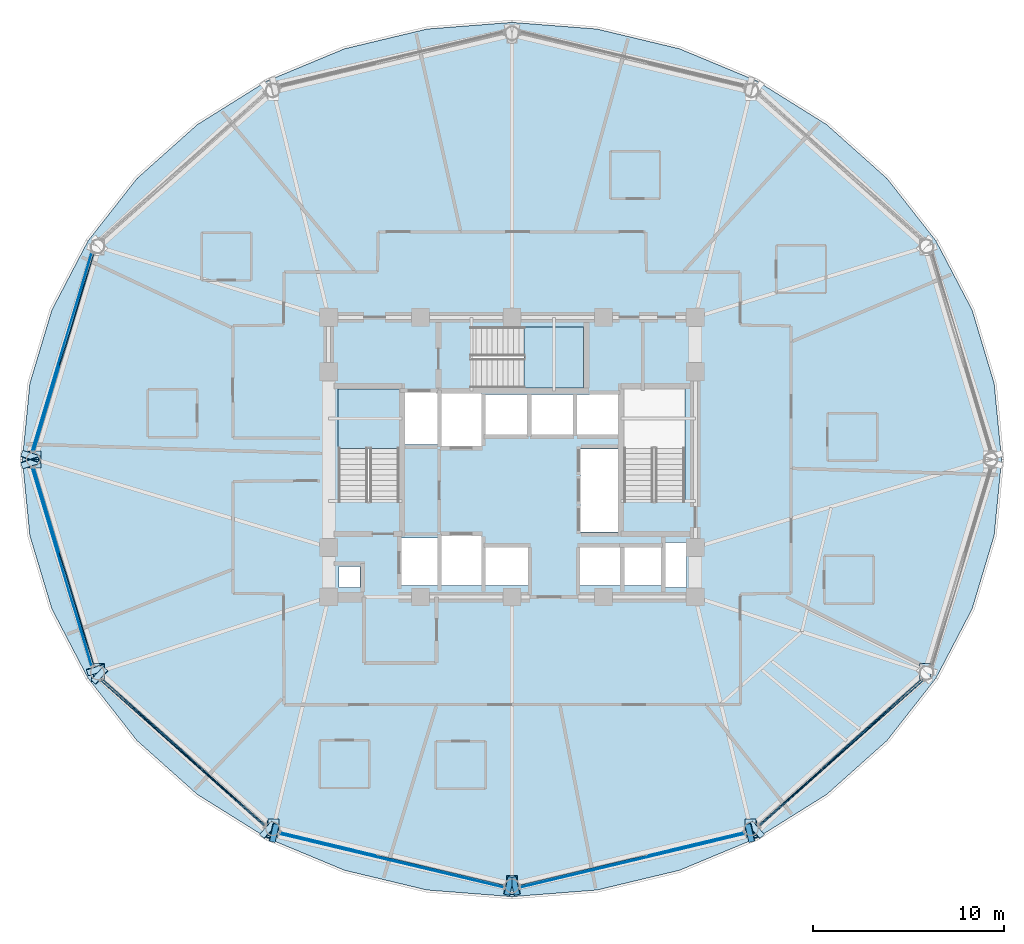
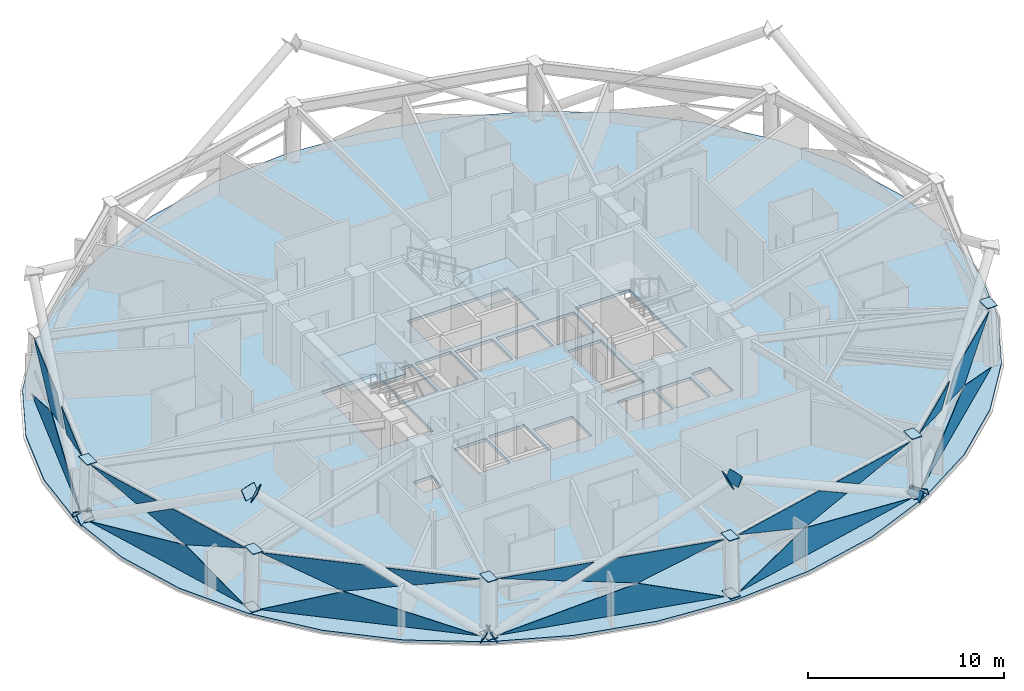
# One storey, part 6 of 15: 39 plates, 3 slabs, 8 elements without a shape of their own.
"""IFC4 building model written with IfcOpenShell, lengths in metres."""

import ifcopenshell
import ifcopenshell.guid

model = None  # the IFC model being written
_history = None  # IfcOwnerHistory: only IFC2X3 demands one
_inside = {}  # id of a spatial element -> (the spatial element, [elements in it])
_under = {}  # id of a project, library or spatial element -> (it, [spatial elements below it])
_declared = {}  # id of a project -> (the project, [libraries it declares])
_typed = {}  # id of a type object -> (the type object, [elements of that type])
_made_of = {}  # id of a material, layer set ... -> (it, [elements and type objects made of it])


def new_model(schema):
    """Start an empty IFC model of exactly this schema.

    Asked for "IFC4X3", IfcOpenShell would pick the latest addendum, in which some entities
    have other attributes; the version numbers below select the first issue.
    IFC2X3 requires an IfcOwnerHistory on every rooted entity: one is made here for all.
    """
    global model, _history
    if schema == "IFC4X3":
        model = ifcopenshell.file(schema_version=(4, 3, 0, 0))
    else:
        model = ifcopenshell.file(schema=schema)
    _inside.clear()
    _under.clear()
    _declared.clear()
    _typed.clear()
    _made_of.clear()
    _history = None
    if model.schema == "IFC2X3":
        org = make("IfcOrganization", Name="unknown")
        user = make(
            "IfcPersonAndOrganization",
            ThePerson=make("IfcPerson", FamilyName="unknown"),
            TheOrganization=org,
        )
        app = make(
            "IfcApplication",
            ApplicationDeveloper=org,
            Version="unknown",
            ApplicationFullName="unknown",
            ApplicationIdentifier="unknown",
        )
        _history = make(
            "IfcOwnerHistory",
            OwningUser=user,
            OwningApplication=app,
            ChangeAction="ADDED",
            CreationDate=0,
        )
    return model


def make(cls, **values):
    """One entity of the class cls with the attributes given. An attribute that is None is left unset."""
    return model.create_entity(
        cls, **{name: value for name, value in values.items() if value is not None}
    )


def rooted(cls, **values):
    """An entity with a GlobalId (a new one), such as an element, a storey or a relation."""
    return make(cls, GlobalId=ifcopenshell.guid.new(), OwnerHistory=_history, **values)


def si_unit(unit_type, name, prefix=None):
    """IfcSIUnit, for example si_unit("LENGTHUNIT", "METRE", prefix="MILLI")."""
    return make("IfcSIUnit", UnitType=unit_type, Prefix=prefix, Name=name)


def assignment(units):
    """IfcUnitAssignment: the units of a project."""
    return None if units is None else make("IfcUnitAssignment", Units=units)


def point(xyz):
    """IfcCartesianPoint."""
    return None if xyz is None else make("IfcCartesianPoint", Coordinates=xyz)


def direction(xyz):
    """IfcDirection."""
    return None if xyz is None else make("IfcDirection", DirectionRatios=xyz)


def frame(location, z_axis=None, x_axis=None):
    """IfcAxis2Placement3D, a coordinate frame: its origin and axes. An axis left out is left unset."""
    return make(
        "IfcAxis2Placement3D",
        Location=point(location),
        Axis=direction(z_axis),
        RefDirection=direction(x_axis),
    )


def origin():
    """The frame at (0, 0, 0) with its axes left unset."""
    return frame((0.0, 0.0, 0.0))


def place(relative_to, where):
    """IfcLocalPlacement: puts the frame where relative to a parent placement (None: the world)."""
    return make(
        "IfcLocalPlacement", PlacementRelTo=relative_to, RelativePlacement=where
    )


def context(
    kind, dimensions, precision=None, world=None, true_north=None, identifier=None
):
    """IfcGeometricRepresentationContext, for example the 3D "Model" context."""
    return make(
        "IfcGeometricRepresentationContext",
        ContextIdentifier=identifier,
        ContextType=kind,
        CoordinateSpaceDimension=dimensions,
        Precision=precision,
        WorldCoordinateSystem=world,
        TrueNorth=true_north,
    )


def subcontext(parent, identifier, kind, view, scale=None):
    """IfcGeometricRepresentationSubContext, for example "Body" below "Model"."""
    return make(
        "IfcGeometricRepresentationSubContext",
        ContextIdentifier=identifier,
        ContextType=kind,
        ParentContext=parent,
        TargetScale=scale,
        TargetView=view,
    )


def project(units=None, contexts=None):
    """IfcProject with its units and contexts."""
    return rooted(
        "IfcProject",
        Name="project",
        RepresentationContexts=contexts,
        UnitsInContext=assignment(units),
    )


def spatial(cls, under=None, at=None, **own):
    """A site, building, storey or space (cls), placed at a placement, below another one or the project."""
    s = rooted(cls, ObjectPlacement=at, **own)
    if under is not None:
        _under.setdefault(under.id(), (under, []))[1].append(s)
    return s


def polyline(points):
    """IfcPolyline through the points."""
    return make("IfcPolyline", Points=[point(p) for p in points])


def outline(outer, holes=None, kind="AREA"):
    """IfcArbitraryClosedProfileDef: a profile drawn as a closed curve; with holes, ...WithVoids."""
    if holes is None:
        return make("IfcArbitraryClosedProfileDef", ProfileType=kind, OuterCurve=outer)
    return make(
        "IfcArbitraryProfileDefWithVoids",
        ProfileType=kind,
        OuterCurve=outer,
        InnerCurves=holes,
    )


def extrude(swept, where, along, depth):
    """IfcExtrudedAreaSolid: the profile swept, set in the frame where, extruded along a direction by depth."""
    return make(
        "IfcExtrudedAreaSolid",
        SweptArea=swept,
        Position=where,
        ExtrudedDirection=direction(along),
        Depth=depth,
    )


def shape(context_of_items, identifier, shape_type, items):
    """IfcShapeRepresentation: the items that make up one representation, for example the "Body"."""
    return make(
        "IfcShapeRepresentation",
        ContextOfItems=context_of_items,
        RepresentationIdentifier=identifier,
        RepresentationType=shape_type,
        Items=items,
    )


def material(Name=None, Category=None):
    """IfcMaterial."""
    return make("IfcMaterial", Name=Name, Category=Category)


def layer(
    of_material, thickness, ventilated=None, Name=None, Category=None, Priority=None
):
    """IfcMaterialLayer: one layer of a wall or slab, of a material (None: an air gap)."""
    return make(
        "IfcMaterialLayer",
        Material=of_material,
        LayerThickness=thickness,
        IsVentilated=ventilated,
        Name=Name,
        Category=Category,
        Priority=Priority,
    )


def layer_set(layers, Name=None):
    """IfcMaterialLayerSet."""
    return make("IfcMaterialLayerSet", MaterialLayers=layers, LayerSetName=Name)


def made_of(thing, what):
    """Note that an element or type object is made of a material, layer set ...; save() writes the relation."""
    if what is not None:
        _made_of.setdefault(what.id(), (what, []))[1].append(thing)
    return thing


def type_object(cls, material=None, **own):
    """A type object (cls), such as IfcWallType, which elements share."""
    return made_of(rooted(cls, **own), material)


def element(
    cls,
    number,
    at=None,
    inside=None,
    cuts=None,
    type_object=None,
    material=None,
    context=None,
    identifier="Body",
    shape_type=None,
    held_by="IfcProductDefinitionShape",
    body=None,
    shapes=None,
    **own,
):
    """One element of the class cls, such as IfcWall. Its Tag is "e" and its number.

    at: its placement. inside: the storey or other place that contains it. cuts: it is an
    opening in that element (IfcRelVoidsElement). A single representation is given by context,
    identifier, shape_type and body (its items); several are given by shapes. held_by: the class
    of the entity that holds the representations. save() writes the other relations.
    """
    e = rooted(cls, Tag="e%d" % number, ObjectPlacement=at, **own)
    if body is not None:
        shapes = [shape(context, identifier, shape_type, body)]
    if shapes is not None:
        e.Representation = make(held_by, Representations=shapes)
    if inside is not None:
        _inside.setdefault(inside.id(), (inside, []))[1].append(e)
    if cuts is not None:
        rooted(
            "IfcRelVoidsElement", RelatingBuildingElement=cuts, RelatedOpeningElement=e
        )
    if type_object is not None:
        _typed.setdefault(type_object.id(), (type_object, []))[1].append(e)
    return made_of(e, material)


def aggregate(whole, parts):
    """IfcRelAggregates: a whole, such as a stair, and the parts it consists of."""
    return rooted("IfcRelAggregates", RelatingObject=whole, RelatedObjects=parts)


def save(model, path):
    """Write the relations noted so far, then the file.

    IfcRelAggregates (storeys below a building ...), IfcRelContainedInSpatialStructure (elements
    in a storey), IfcRelDefinesByType, IfcRelAssociatesMaterial and IfcRelDeclares: one each for
    every whole, place, type object, material and project.
    """
    for whole, parts in _under.values():
        aggregate(whole, parts)
    for where, things in _inside.values():
        rooted(
            "IfcRelContainedInSpatialStructure",
            RelatedElements=things,
            RelatingStructure=where,
        )
    for kind, things in _typed.values():
        rooted("IfcRelDefinesByType", RelatedObjects=things, RelatingType=kind)
    for what, things in _made_of.values():
        rooted("IfcRelAssociatesMaterial", RelatedObjects=things, RelatingMaterial=what)
    for by, libraries in _declared.values():
        rooted("IfcRelDeclares", RelatingContext=by, RelatedDefinitions=libraries)
    model.write(path)


model = new_model("IFC4")

# Units and contexts
model_context = context("Model", 3, precision=1e-05, world=origin(), true_north=direction((0.0, 1.0)))
body_context = subcontext(model_context, "Body", "Model", "MODEL_VIEW")
ifc_project = project(units=[si_unit("LENGTHUNIT", "METRE"), si_unit("AREAUNIT", "SQUARE_METRE"), si_unit("VOLUMEUNIT", "CUBIC_METRE"), si_unit("PLANEANGLEUNIT", "RADIAN"), si_unit("MASSUNIT", "GRAM", prefix="KILO")], contexts=[model_context])

# Site, building, storey
site_placement = place(None, origin())
site = spatial("IfcSite", under=ifc_project, at=site_placement, CompositionType="ELEMENT")
building_placement = place(site_placement, origin())
building = spatial("IfcBuilding", under=site, at=building_placement, Name="Vantalir Tower", CompositionType="ELEMENT")
storey_placement = place(building_placement, frame((0.0, 0.0, 134.699951171875)))
storey = spatial("IfcBuildingStorey", under=building, at=storey_placement, Name="L33", CompositionType="ELEMENT", Elevation=134.699951171875)

# Curtain wall, plates
ifc_material_1 = material(Name="Champagne-silver PVDF aluminium and double-silver Low-E glass", Category="aluminium")
ifc_layer_1 = layer(ifc_material_1, 0.199951171875)
ifc_layer_set_1 = layer_set([ifc_layer_1], Name="Champagne-silver PVDF aluminium and double-silver Low-E glass")
curtain_wall_type = type_object("IfcCurtainWallType", Name="CW-DIAMOND-Z2", PredefinedType="USERDEFINED", material=ifc_layer_set_1)
curtain_wall_1_placement = place(storey_placement, origin())
curtain_wall_1 = element("IfcCurtainWall", 1, at=curtain_wall_1_placement, inside=storey, type_object=curtain_wall_type, Name="L33 Quilted Pyramid-Diamond Curtain Wall S06", ObjectType="UNITISED CURTAIN WALL", PredefinedType="USERDEFINED")
ifc_material_2 = material(Name="Double-silver Low-E laminated glass IGU", Category="glass")
ifc_layer_2 = layer(ifc_material_2, 0.028076171875)
ifc_layer_set_2 = layer_set([ifc_layer_2], Name="Double-silver Low-E laminated glass IGU")
plate_type_1 = type_object("IfcPlateType", Name="CWP-IGU-28", PredefinedType="CURTAIN_PANEL", material=ifc_layer_set_2)
plate_1_placement = place(storey_placement, frame((9.47314453125, 35.831298828125, 0.046875), z_axis=(-0.957463170164, 0.287838841665, 0.02032434523), x_axis=(-0.287898747947, -0.957660853551, -2.2490333e-05)))
plate_1 = element("IfcPlate", 2, at=plate_1_placement, type_object=plate_type_1, Name="CW-L33-S06 Pyramid Diamond Facet 1L", PredefinedType="CURTAIN_PANEL", context=body_context, shape_type="SweptSolid", body=[
    extrude(outline(polyline([(0.0, 0.0), (10.855358569343428, -4.87890977618477e-18), (4.130310305570415, 1.726523743430971), (0.0, 0.0)])), origin(), (0.0, 0.0, -1.0), 0.028076171875),
])
plate_2_placement = place(storey_placement, frame((9.5810546875, 35.7763671875, 3.523193359375), z_axis=(-0.956543087606, 0.287624031401, 0.047934727639), x_axis=(-0.287952835726, -0.957644590696, 4.804982e-05)))
plate_2 = element("IfcPlate", 3, at=plate_2_placement, type_object=plate_type_1, Name="CW-L33-S06 Pyramid Diamond Facet 2U", PredefinedType="CURTAIN_PANEL", context=body_context, shape_type="SweptSolid", body=[
    extrude(outline(polyline([(0.0, 0.0), (5.096474012742878, -4.092863201132779e-18), (6.7924118698051315, -1.0349633621815963), (4.108684838785113, -1.7282575818142996), (0.0, 0.0)])), origin(), (0.0, 0.0, -1.0), 0.028076171875),
])
plate_3_placement = place(storey_placement, frame((7.767822265625, 29.857177734375, 3.52490234375), z_axis=(-0.956564172472, 0.287559400806, 0.047901721806), x_axis=(-0.287887448964, -0.957664249057, 5.2988671e-05)))
plate_3 = element("IfcPlate", 4, at=plate_3_placement, type_object=plate_type_1, Name="CW-L33-S06 Pyramid Diamond Facet 2U Infill Light", PredefinedType="CURTAIN_PANEL", context=body_context, shape_type="SweptSolid", body=[
    extrude(outline(polyline([(0.0, 0.0), (4.6074117520533635, 7.26415455565288e-18), (1.3702827860702542, -0.8362376447296731), (0.0, 0.0)])), origin(), (0.0, 0.0, -1.0), 0.028076171875),
])
aggregate(curtain_wall_1, [plate_1, plate_2, plate_3])

curtain_wall_2_placement = place(storey_placement, origin())
curtain_wall_2 = element("IfcCurtainWall", 5, at=curtain_wall_2_placement, inside=storey, type_object=curtain_wall_type, Name="L33 Quilted Pyramid-Diamond Curtain Wall S07", ObjectType="UNITISED CURTAIN WALL", PredefinedType="USERDEFINED")
plate_4_placement = place(storey_placement, frame((6.347900390625, 24.564453125, 0.046630859375), z_axis=(-0.957470245405, -0.287813931376, 0.020343796845), x_axis=(0.287873946806, -0.957668309095, 2.2488395e-05)))
plate_4 = element("IfcPlate", 6, at=plate_4_placement, type_object=plate_type_1, Name="CW-L33-S07 Pyramid Diamond Facet 1L", PredefinedType="CURTAIN_PANEL", context=body_context, shape_type="SweptSolid", body=[
    extrude(outline(polyline([(0.0, 0.0), (10.856293788661283, -1.5233040523421337e-17), (6.725514960896427, 1.7265244291409825), (0.0, 0.0)])), origin(), (0.0, 0.0, -1.0), 0.028076171875),
])
plate_5_placement = place(storey_placement, frame((8.113525390625, 19.10400390625, 3.5234375), z_axis=(-0.956551973438, -0.28759096998, 0.047955772315), x_axis=(0.287920011065, -0.957654460068, -4.8384158e-05)))
plate_5 = element("IfcPlate", 7, at=plate_5_placement, type_object=plate_type_1, Name="CW-L33-S07 Pyramid Diamond Facet 2U", PredefinedType="CURTAIN_PANEL", context=body_context, shape_type="SweptSolid", body=[
    extrude(outline(polyline([(0.0, 0.0), (5.097175417355178, 2.596664203102783e-17), (0.9880263924627568, -1.7282589875324084), (-1.695935809435139, -1.0349667163310812), (0.0, 0.0)])), origin(), (0.0, 0.0, -1.0), 0.028076171875),
])
plate_6_placement = place(storey_placement, frame((6.44140625, 24.55517578125, 3.525146484375), z_axis=(-0.956571263769, -0.287545619059, 0.047842808155), x_axis=(0.287872840721, -0.95766864038, -5.2985982e-05)))
plate_6 = element("IfcPlate", 8, at=plate_6_placement, type_object=plate_type_1, Name="CW-L33-S07 Pyramid Diamond Facet 2U Infill Light", PredefinedType="CURTAIN_PANEL", context=body_context, shape_type="SweptSolid", body=[
    extrude(outline(polyline([(0.0, 0.0), (4.607645557337732, -1.0516761073109393e-17), (3.2371295743934563, -0.8362352895310898), (0.0, 0.0)])), origin(), (0.0, 0.0, -1.0), 0.028076171875),
])
aggregate(curtain_wall_2, [plate_4, plate_5, plate_6])

curtain_wall_3_placement = place(storey_placement, origin())
curtain_wall_3 = element("IfcCurtainWall", 9, at=curtain_wall_3_placement, inside=storey, type_object=curtain_wall_type, Name="L33 Quilted Pyramid-Diamond Curtain Wall S08", ObjectType="UNITISED CURTAIN WALL", PredefinedType="USERDEFINED")
plate_7_placement = place(storey_placement, frame((9.943603515625, 13.429443359375, 0.046630859375), z_axis=(-0.665260179006, -0.746375555982, 0.01877295027), x_axis=(0.746506845248, -0.665377734483, -2.1254679e-05)))
plate_7 = element("IfcPlate", 10, at=plate_7_placement, type_object=plate_type_1, Name="CW-L33-S08 Pyramid Diamond Facet 1L", PredefinedType="CURTAIN_PANEL", context=body_context, shape_type="SweptSolid", body=[
    extrude(outline(polyline([(0.0, 0.0), (11.48644126417343, 1.8675382421062814e-17), (4.3770040295475345, 1.726959869783837), (0.0, 0.0)])), origin(), (0.0, 0.0, -1.0), 0.028076171875),
])
plate_8_placement = place(storey_placement, frame((10.051513671875, 13.484130859375, 3.5234375), z_axis=(-0.664696460329, -0.745703867353, 0.045873280248), x_axis=(0.746489738414, -0.665396926986, 5.45359e-07)))
plate_8 = element("IfcPlate", 11, at=plate_8_placement, type_object=plate_type_1, Name="CW-L33-S08 Pyramid Diamond Facet 2U", PredefinedType="CURTAIN_PANEL", context=body_context, shape_type="SweptSolid", body=[
    extrude(outline(polyline([(0.0, 0.0), (5.396947524986246, -2.7755575615628914e-17), (7.178903589038095, -1.034784673350653), (4.33275116731875, -1.7283814438891683), (0.0, 0.0)])), origin(), (0.0, 0.0, -1.0), 0.028076171875),
])
plate_9_placement = place(storey_placement, frame((14.906005859375, 9.1142578125, 3.52490234375), z_axis=(-0.664707806858, -0.745687279623, 0.045978391778), x_axis=(0.746478254635, -0.665409808215, 4.9888275e-05)))
plate_9 = element("IfcPlate", 12, at=plate_9_placement, type_object=plate_type_1, Name="CW-L33-S08 Pyramid Diamond Facet 2U Infill Light", PredefinedType="CURTAIN_PANEL", context=body_context, shape_type="SweptSolid", body=[
    extrude(outline(polyline([(0.0, 0.0), (4.893747606435219, -5.041540102057596e-18), (1.4466188644222213, -0.84007192956224), (0.0, 0.0)])), origin(), (0.0, 0.0, -1.0), 0.028076171875),
])
aggregate(curtain_wall_3, [plate_7, plate_8, plate_9])

curtain_wall_4_placement = place(storey_placement, origin())
curtain_wall_4 = element("IfcCurtainWall", 13, at=curtain_wall_4_placement, inside=storey, type_object=curtain_wall_type, Name="L33 Quilted Pyramid-Diamond Curtain Wall S09", ObjectType="UNITISED CURTAIN WALL", PredefinedType="USERDEFINED")
plate_10_placement = place(storey_placement, frame((19.300537109375, 5.37841796875, 0.04638671875), z_axis=(-0.232238699836, -0.972513238246, 0.016828182751), x_axis=(0.972651048169, -0.232271259712, 2.0197501e-05)))
plate_10 = element("IfcPlate", 14, at=plate_10_placement, type_object=plate_type_1, Name="CW-L33-S09 Pyramid Diamond Facet 1L", PredefinedType="CURTAIN_PANEL", context=body_context, shape_type="SweptSolid", body=[
    extrude(outline(polyline([(0.0, 0.0), (12.087665047253493, 3.2255014631443757e-18), (7.487863162220419, 1.7271441158106788), (0.0, 0.0)])), origin(), (0.0, 0.0, -1.0), 0.028076171875),
])
plate_11_placement = place(storey_placement, frame((25.52001953125, 4.0029296875, 3.523681640625), z_axis=(-0.232028448173, -0.971690883214, 0.044492996275), x_axis=(0.972653666383, -0.232260292498, -4.2432139e-05)))
plate_11 = element("IfcPlate", 15, at=plate_11_placement, type_object=plate_type_1, Name="CW-L33-S09 Pyramid Diamond Facet 2U", PredefinedType="CURTAIN_PANEL", context=body_context, shape_type="SweptSolid", body=[
    extrude(outline(polyline([(0.0, 0.0), (5.69327447448733, -5.990217002982412e-18), (1.119095545179501, -1.7287152503151515), (-1.872263854640357, -1.0347930479250294), (0.0, 0.0)])), origin(), (0.0, 0.0, -1.0), 0.028076171875),
])
plate_12_placement = place(storey_placement, frame((19.35498046875, 5.442138671875, 3.525146484375), z_axis=(-0.232012766943, -0.971689535973, 0.044604054253), x_axis=(0.972657579358, -0.232243909109, 0.0)))
plate_12 = element("IfcPlate", 16, at=plate_12_placement, type_object=plate_type_1, Name="CW-L33-S09 Pyramid Diamond Facet 2U Infill Light", PredefinedType="CURTAIN_PANEL", context=body_context, shape_type="SweptSolid", body=[
    extrude(outline(polyline([(0.0, 0.0), (5.1531054069003135, 0.0), (3.62919502629033, -0.842146745431487), (0.0, 0.0)])), origin(), (0.0, 0.0, -1.0), 0.028076171875),
])
aggregate(curtain_wall_4, [plate_10, plate_11, plate_12])

curtain_wall_5_placement = place(storey_placement, origin())
curtain_wall_5 = element("IfcCurtainWall", 17, at=curtain_wall_5_placement, inside=storey, type_object=curtain_wall_type, Name="L33 Quilted Pyramid-Diamond Curtain Wall S10", ObjectType="UNITISED CURTAIN WALL", PredefinedType="USERDEFINED")
plate_13_placement = place(storey_placement, frame((31.9423828125, 2.57080078125, 0.046630859375), z_axis=(0.232238699836, -0.972513238246, 0.016828182751), x_axis=(0.972651048169, 0.232271259712, -2.0197501e-05)))
plate_13 = element("IfcPlate", 18, at=plate_13_placement, type_object=plate_type_1, Name="CW-L33-S10 Pyramid Diamond Facet 1L", PredefinedType="CURTAIN_PANEL", context=body_context, shape_type="SweptSolid", body=[
    extrude(outline(polyline([(0.0, 0.0), (12.087665047253493, -3.2255014631443757e-18), (4.5998018850330755, 1.7271441158106786), (0.0, 0.0)])), origin(), (0.0, 0.0, -1.0), 0.028076171875),
])
plate_14_placement = place(storey_placement, frame((31.9423828125, 2.6806640625, 3.5234375), z_axis=(0.232028448173, -0.971690883214, 0.044492996275), x_axis=(0.972653666383, 0.232260292498, 4.2432139e-05)))
plate_14 = element("IfcPlate", 19, at=plate_14_placement, type_object=plate_type_1, Name="CW-L33-S10 Pyramid Diamond Facet 2U", PredefinedType="CURTAIN_PANEL", context=body_context, shape_type="SweptSolid", body=[
    extrude(outline(polyline([(0.0, 0.0), (5.69327447448733, 5.990217002982412e-18), (7.565538329127686, -1.0347930479250294), (4.574178929307829, -1.7287152503151515), (0.0, 0.0)])), origin(), (0.0, 0.0, -1.0), 0.028076171875),
])
plate_15_placement = place(storey_placement, frame((38.6328125, 4.245361328125, 3.525146484375), z_axis=(0.232012766943, -0.971689535973, 0.044604054253), x_axis=(0.972657579358, 0.232243909109, 0.0)))
plate_15 = element("IfcPlate", 20, at=plate_15_placement, type_object=plate_type_1, Name="CW-L33-S10 Pyramid Diamond Facet 2U Infill Light", PredefinedType="CURTAIN_PANEL", context=body_context, shape_type="SweptSolid", body=[
    extrude(outline(polyline([(0.0, 0.0), (5.1531054069003135, 0.0), (1.5239103806099834, -0.842146745431487), (0.0, 0.0)])), origin(), (0.0, 0.0, -1.0), 0.028076171875),
])
aggregate(curtain_wall_5, [plate_13, plate_14, plate_15])

curtain_wall_6_placement = place(storey_placement, origin())
curtain_wall_6 = element("IfcCurtainWall", 21, at=curtain_wall_6_placement, inside=storey, type_object=curtain_wall_type, Name="L33 Quilted Pyramid-Diamond Curtain Wall S11", ObjectType="UNITISED CURTAIN WALL", PredefinedType="USERDEFINED")
plate_16_placement = place(storey_placement, frame((44.481689453125, 5.78662109375, 0.04638671875), z_axis=(0.665260179006, -0.746375555982, 0.01877295027), x_axis=(0.746506845248, 0.665377734483, 2.1254679e-05)))
plate_16 = element("IfcPlate", 22, at=plate_16_placement, type_object=plate_type_1, Name="CW-L33-S11 Pyramid Diamond Facet 1L", PredefinedType="CURTAIN_PANEL", context=body_context, shape_type="SweptSolid", body=[
    extrude(outline(polyline([(0.0, 0.0), (11.48644126417343, -1.8675382421062814e-17), (7.1094372346258945, 1.7269598697838369), (0.0, 0.0)])), origin(), (0.0, 0.0, -1.0), 0.028076171875),
])
plate_17_placement = place(storey_placement, frame((48.919677734375, 9.89306640625, 3.5234375), z_axis=(0.664696460329, -0.745703867353, 0.045873280248), x_axis=(0.746489738414, 0.665396926986, -5.45359e-07)))
plate_17 = element("IfcPlate", 23, at=plate_17_placement, type_object=plate_type_1, Name="CW-L33-S11 Pyramid Diamond Facet 2U", PredefinedType="CURTAIN_PANEL", context=body_context, shape_type="SweptSolid", body=[
    extrude(outline(polyline([(0.0, 0.0), (5.396947524986246, 2.7755575615628914e-17), (1.0641963576674969, -1.7283814438891683), (-1.781956064051848, -1.034784673350653), (0.0, 0.0)])), origin(), (0.0, 0.0, -1.0), 0.028076171875),
])
plate_18_placement = place(storey_placement, frame((44.44091796875, 5.85791015625, 3.525146484375), z_axis=(0.664707806858, -0.745687279623, 0.045978391778), x_axis=(0.746478254635, 0.665409808215, -4.9888275e-05)))
plate_18 = element("IfcPlate", 24, at=plate_18_placement, type_object=plate_type_1, Name="CW-L33-S11 Pyramid Diamond Facet 2U Infill Light", PredefinedType="CURTAIN_PANEL", context=body_context, shape_type="SweptSolid", body=[
    extrude(outline(polyline([(0.0, 0.0), (4.893747606435219, 5.041540102057596e-18), (3.4471287420129966, -0.84007192956224), (0.0, 0.0)])), origin(), (0.0, 0.0, -1.0), 0.028076171875),
])
aggregate(curtain_wall_6, [plate_16, plate_17, plate_18])

# Plates
ifc_material_3 = material(Name="Steel S460", Category="steel")
ifc_layer_3 = layer(ifc_material_3, 0.0400390625)
ifc_layer_set_3 = layer_set([ifc_layer_3], Name="Steel S460")
plate_type_2 = type_object("IfcPlateType", Name="PLT-KN-Z1", PredefinedType="USERDEFINED", material=ifc_layer_set_3)
for number, where, z_axis, x_axis, name in (
    (25, (5.871826171875, 24.516845703125, -0.06591796875), (0.258197780865, -0.813641095351, 0.520885854974), (0.953158376778, 0.302471666074, 0.0), "Node Cap Plate MEM-DG-L33-R19L Start"),
    (26, (9.3125, 13.67041015625, 6.87744140625), (0.258197780865, -0.813641095351, 0.520885854974), (0.953158376778, 0.302471666074, 0.0), "Node Cap Plate MEM-DG-L33-R19L End"),
):
    element("IfcPlate", number, at=place(storey_placement, frame(where, z_axis=z_axis, x_axis=x_axis)), inside=storey, type_object=plate_type_2, Name=name, ObjectType="FLANGE_PLATE", PredefinedType="USERDEFINED", context=body_context, shape_type="SweptSolid", body=[
        extrude(outline(polyline([(0.0, 0.0), (0.9500179615330504, 2.7755575615628914e-17), (0.950055417638484, 0.6200568691666573), (3.745610543352195e-05, 0.6200568691666573), (0.0, 0.0)])), origin(), (0.0, 0.0, -1.0), 0.0400390625),
    ])
plate_19_placement = place(storey_placement, frame((6.77734375, 25.19580078125, -0.06591796875), z_axis=(0.258197780865, 0.813641095351, 0.520885854974), x_axis=(-0.953158376778, 0.302471666074, 0.0)))
element("IfcPlate", 27, at=plate_19_placement, inside=storey, type_object=plate_type_2, Name="Node Cap Plate MEM-DG-L33-R19R Start", ObjectType="FLANGE_PLATE", PredefinedType="USERDEFINED", context=body_context, shape_type="SweptSolid", body=[
    extrude(outline(polyline([(0.0, 0.0), (0.9500179615330504, -2.7755575615628914e-17), (0.949980505427617, 0.6200568691666573), (-3.745610543352195e-05, 0.6200568691666573), (0.0, 0.0)])), origin(), (0.0, 0.0, -1.0), 0.0400390625),
])
plate_20_placement = place(storey_placement, frame((19.09423828125, 4.943603515625, -0.0810546875), z_axis=(0.853791830587, -0.192755426452, 0.483616434373), x_axis=(0.220221435597, 0.975449906097, 0.0)))
element("IfcPlate", 28, at=plate_20_placement, inside=storey, type_object=plate_type_2, Name="Node Cap Plate MEM-DG-L33-R25L Start", ObjectType="FLANGE_PLATE", PredefinedType="USERDEFINED", context=body_context, shape_type="SweptSolid", body=[
    extrude(outline(polyline([(0.0, 0.0), (0.9500824252560544, 0.0), (0.9502097799209525, 0.6200582510693693), (0.00012735466489807723, 0.6200582510693693), (0.0, 0.0)])), origin(), (0.0, 0.0, -1.0), 0.0400390625),
])
plate_21_placement = place(storey_placement, frame((31.381103515625, 2.169921875, 6.877685546875), z_axis=(0.853827632693, -0.192763509278, 0.483550000662), x_axis=(0.220221435597, 0.975449906097, 0.0)))
element("IfcPlate", 29, at=plate_21_placement, inside=storey, type_object=plate_type_2, Name="Node Cap Plate MEM-DG-L33-R25L End", ObjectType="FLANGE_PLATE", PredefinedType="USERDEFINED", context=body_context, shape_type="SweptSolid", body=[
    extrude(outline(polyline([(0.0, 0.0), (0.9500824252560544, 0.0), (0.9499716329712218, 0.6200322512181617), (-0.00011079228483251053, 0.6200322512181617), (0.0, 0.0)])), origin(), (0.0, 0.0, -1.0), 0.0400390625),
])
plate_22_placement = place(storey_placement, frame((18.918701171875, 6.072509765625, -0.073486328125), z_axis=(-0.637640096051, 0.58418856482, 0.502134273518), x_axis=(-0.675544374388, -0.737319331457, -4.1139818e-05)))
element("IfcPlate", 30, at=plate_22_placement, inside=storey, type_object=plate_type_2, Name="Node Cap Plate MEM-DG-L33-R25R Start", ObjectType="FLANGE_PLATE", PredefinedType="USERDEFINED", context=body_context, shape_type="SweptSolid", body=[
    extrude(outline(polyline([(0.0, 0.0), (0.9500428032754565, 2.7755575615628914e-17), (0.9498119304837989, 0.6200026520977329), (-6.594496587939784e-05, 0.6199122689743342), (0.0, 0.0)])), origin(), (0.0, 0.0, -1.0), 0.0400390625),
])
plate_23_placement = place(storey_placement, frame((10.091064453125, 14.16064453125, 6.87744140625), z_axis=(-0.637619242325, 0.584280581412, 0.502053686374), x_axis=(-0.675596613919, -0.737271466464, 0.0)))
element("IfcPlate", 31, at=plate_23_placement, inside=storey, type_object=plate_type_2, Name="Node Cap Plate MEM-DG-L33-R25R End", ObjectType="FLANGE_PLATE", PredefinedType="USERDEFINED", context=body_context, shape_type="SweptSolid", body=[
    extrude(outline(polyline([(0.0, 0.0), (0.9500428064640428, -2.7755575615628914e-17), (0.9501568657921746, 0.6202062242755618), (0.00011405932813173088, 0.6202062242755619), (0.0, 0.0)])), origin(), (0.0, 0.0, -1.0), 0.0400390625),
])
plate_24_placement = place(storey_placement, frame((44.72314453125, 5.3720703125, -0.073486328125), z_axis=(0.637640096051, 0.58418856482, 0.502134273518), x_axis=(-0.675544374388, 0.737319331457, 4.1139818e-05)))
element("IfcPlate", 32, at=plate_24_placement, inside=storey, type_object=plate_type_2, Name="Node Cap Plate MEM-DG-L33-R31L Start", ObjectType="FLANGE_PLATE", PredefinedType="USERDEFINED", context=body_context, shape_type="SweptSolid", body=[
    extrude(outline(polyline([(0.0, 0.0), (0.9500428032754565, -2.7755575615628914e-17), (0.9501087482413358, 0.619912268974334), (0.00023087279165763058, 0.6200026520977328), (0.0, 0.0)])), origin(), (0.0, 0.0, -1.0), 0.0400390625),
])
plate_25_placement = place(storey_placement, frame((43.696533203125, 5.870361328125, -0.0810546875), z_axis=(-0.853791830587, -0.192755426452, 0.483616434373), x_axis=(0.220221435597, -0.975449906097, 0.0)))
element("IfcPlate", 33, at=plate_25_placement, inside=storey, type_object=plate_type_2, Name="Node Cap Plate MEM-DG-L33-R31R Start", ObjectType="FLANGE_PLATE", PredefinedType="USERDEFINED", context=body_context, shape_type="SweptSolid", body=[
    extrude(outline(polyline([(0.0, 0.0), (0.9500824252560544, 0.0), (0.9499550705911562, 0.6200582510693693), (-0.00012735466489807723, 0.6200582510693693), (0.0, 0.0)])), origin(), (0.0, 0.0, -1.0), 0.0400390625),
])
plate_26_placement = place(storey_placement, frame((31.40966796875, 3.0966796875, 6.877685546875), z_axis=(-0.853827632693, -0.192763509278, 0.483550000662), x_axis=(0.220221435597, -0.975449906097, 0.0)))
element("IfcPlate", 34, at=plate_26_placement, inside=storey, type_object=plate_type_2, Name="Node Cap Plate MEM-DG-L33-R31R End", ObjectType="FLANGE_PLATE", PredefinedType="USERDEFINED", context=body_context, shape_type="SweptSolid", body=[
    extrude(outline(polyline([(0.0, 0.0), (0.9500824252560544, 0.0), (0.9501932175408869, 0.6200322512181617), (0.00011079228483251053, 0.6200322512181617), (0.0, 0.0)])), origin(), (0.0, 0.0, -1.0), 0.0400390625),
])
ifc_layer_4 = layer(ifc_material_3, 0.035888671875)
ifc_layer_set_4 = layer_set([ifc_layer_4], Name="Steel S460")
plate_type_3 = type_object("IfcPlateType", Name="PLT-KN-Z2", PredefinedType="USERDEFINED", material=ifc_layer_set_4)
plate_27_placement = place(storey_placement, frame((6.2421875, 25.43994140625, 3.608154296875), z_axis=(0.034940740956, 0.0, 0.999389385886), x_axis=(0.0, -1.0, 0.0)))
element("IfcPlate", 35, at=plate_27_placement, inside=storey, type_object=plate_type_3, Name="L33 Ring Column Top Cap RC07", ObjectType="FLANGE_PLATE", PredefinedType="USERDEFINED", context=body_context, shape_type="SweptSolid", body=[
    extrude(outline(polyline([(0.0, 0.0), (0.8798828125, 0.0), (0.8798828125, 0.5799439657208334), (0.0, 0.5799439657208334), (0.0, 0.0)])), origin(), (0.0, 0.0, -1.0), 0.035888671875),
])
plate_28_placement = place(storey_placement, frame((6.118896484375, 25.43994140625, 0.06298828125), z_axis=(0.034505755338, 0.0, 0.999404499114), x_axis=(0.0, -1.0, 0.0)))
element("IfcPlate", 36, at=plate_28_placement, inside=storey, type_object=plate_type_3, Name="L33 Ring Column Base Cap RC07", ObjectType="FLANGE_PLATE", PredefinedType="USERDEFINED", context=body_context, shape_type="SweptSolid", body=[
    extrude(outline(polyline([(0.0, 0.0), (0.8798828125, 0.0), (0.8798828125, 0.5801794817706478), (0.0, 0.5801794817706478), (0.0, 0.0)])), origin(), (0.0, 0.0, -1.0), 0.035888671875),
])
plate_29_placement = place(storey_placement, frame((9.5869140625, 14.322509765625, 3.599853515625), z_axis=(0.0298843169, 0.015529476235, 0.999432720583), x_axis=(0.0, -0.999879302615, 0.015536415357)))
element("IfcPlate", 37, at=plate_29_placement, inside=storey, type_object=plate_type_3, Name="L33 Ring Column Top Cap RC08", ObjectType="FLANGE_PLATE", PredefinedType="USERDEFINED", context=body_context, shape_type="SweptSolid", body=[
    extrude(outline(polyline([(0.0, 0.0), (0.8799890248741321, 0.0), (0.8799638280509562, 0.580093074790818), (-2.519682317585358e-05, 0.5800930747908178), (0.0, 0.0)])), origin(), (0.0, 0.0, -1.0), 0.035888671875),
])
plate_30_placement = place(storey_placement, frame((9.480712890625, 14.267822265625, 0.054931640625), z_axis=(0.030094540076, 0.015390756101, 0.999428558369), x_axis=(-4.172269e-06, -0.999881445979, 0.015397856004)))
element("IfcPlate", 38, at=plate_30_placement, inside=storey, type_object=plate_type_3, Name="L33 Ring Column Base Cap RC08", ObjectType="FLANGE_PLATE", PredefinedType="USERDEFINED", context=body_context, shape_type="SweptSolid", body=[
    extrude(outline(polyline([(0.0, 0.0), (0.8799890164171312, -1.0842021724855044e-19), (0.879960043437523, 0.5801004083740838), (-2.5213737419763305e-05, 0.58009306196099), (0.0, 0.0)])), origin(), (0.0, 0.0, -1.0), 0.035888671875),
])
plate_31_placement = place(storey_placement, frame((18.7255859375, 6.184814453125, 3.59130859375), z_axis=(0.017265674335, 0.026623655811, 0.99949641192), x_axis=(0.0, -0.999645421931, 0.026627625001)))
element("IfcPlate", 39, at=plate_31_placement, inside=storey, type_object=plate_type_3, Name="L33 Ring Column Top Cap RC09", ObjectType="FLANGE_PLATE", PredefinedType="USERDEFINED", context=body_context, shape_type="SweptSolid", body=[
    extrude(outline(polyline([(0.0, 0.0), (0.880194910312006, 5.421010862427522e-20), (0.8801724280846793, 0.5799204289756049), (-2.248222732668961e-05, 0.5799204289756049), (0.0, 0.0)])), origin(), (0.0, 0.0, -1.0), 0.035888671875),
])
plate_32_placement = place(storey_placement, frame((18.6640625, 6.09033203125, 0.04638671875), z_axis=(0.017265674048, 0.026631039872, 0.999496215208), x_axis=(0.0, -0.999645225184, 0.026635010163)))
element("IfcPlate", 40, at=plate_32_placement, inside=storey, type_object=plate_type_3, Name="L33 Ring Column Base Cap RC09", ObjectType="FLANGE_PLATE", PredefinedType="USERDEFINED", context=body_context, shape_type="SweptSolid", body=[
    extrude(outline(polyline([(0.0, 0.0), (0.879950856277931, 0.0), (0.8799283000788335, 0.5799204289727324), (-2.2556199097482362e-05, 0.5799204289727323), (0.0, 0.0)])), origin(), (0.0, 0.0, -1.0), 0.035888671875),
])
plate_33_placement = place(storey_placement, frame((31.2099609375, 3.20556640625, 3.58447265625), z_axis=(0.0, 0.030801591489, 0.999525518414), x_axis=(0.0, -0.999525518414, 0.030801591489)))
element("IfcPlate", 41, at=plate_33_placement, inside=storey, type_object=plate_type_3, Name="L33 Ring Column Top Cap RC10", ObjectType="FLANGE_PLATE", PredefinedType="USERDEFINED", context=body_context, shape_type="SweptSolid", body=[
    extrude(outline(polyline([(0.0, 0.0), (0.8798119858359995, 0.0), (0.8798119858359995, 0.580078125), (0.0, 0.580078125), (0.0, 0.0)])), origin(), (0.0, 0.0, -1.0), 0.035888671875),
])
plate_34_placement = place(storey_placement, frame((31.2099609375, 3.096435546875, 0.03955078125), z_axis=(0.0, 0.030793050723, 0.999525781572), x_axis=(0.0, -0.999525781572, 0.030793050723)))
element("IfcPlate", 42, at=plate_34_placement, inside=storey, type_object=plate_type_3, Name="L33 Ring Column Base Cap RC10", ObjectType="FLANGE_PLATE", PredefinedType="USERDEFINED", context=body_context, shape_type="SweptSolid", body=[
    extrude(outline(polyline([(0.0, 0.0), (0.8800560106528968, 0.0), (0.8800560106528968, 0.580078125), (0.0, 0.580078125), (0.0, 0.0)])), origin(), (0.0, 0.0, -1.0), 0.035888671875),
])
plate_35_placement = place(storey_placement, frame((43.694580078125, 6.184326171875, 3.736083984375), z_axis=(-0.01642960501, 0.025518972483, 0.999539318948), x_axis=(5.8164e-08, -0.999674250025, 0.025522418329)))
element("IfcPlate", 43, at=plate_35_placement, inside=storey, type_object=plate_type_3, Name="L33 Ring Column Top Cap RC11", ObjectType="FLANGE_PLATE", PredefinedType="USERDEFINED", context=body_context, shape_type="SweptSolid", body=[
    extrude(outline(polyline([(0.0, 0.0), (0.8799253870423839, -5.421010862427522e-20), (0.8799243709789983, 0.5799122068854903), (-0.0002450771595829405, 0.5799123092735248), (0.0, 0.0)])), origin(), (0.0, 0.0, -1.0), 0.035888671875),
])
plate_36_placement = place(storey_placement, frame((43.756103515625, 6.090087890625, 0.036865234375), z_axis=(-0.016837887156, 0.025522338149, 0.999532438599), x_axis=(0.0, -0.999674159676, 0.025525956894)))
element("IfcPlate", 44, at=plate_36_placement, inside=storey, type_object=plate_type_3, Name="L33 Ring Column Base Cap RC11", ObjectType="FLANGE_PLATE", PredefinedType="USERDEFINED", context=body_context, shape_type="SweptSolid", body=[
    extrude(outline(polyline([(0.0, 0.0), (0.8799253870478979, 0.0), (0.8799306028965542, 0.580160372752738), (5.215848656330767e-06, 0.580160372752738), (0.0, 0.0)])), origin(), (0.0, 0.0, -1.0), 0.035888671875),
])
plate_37_placement = place(storey_placement, frame((52.833251953125, 14.322265625, 3.7373046875), z_axis=(-0.028622942546, 0.014698267794, 0.999482209989), x_axis=(0.0, -0.999891886048, 0.014704292442)))
element("IfcPlate", 45, at=plate_37_placement, inside=storey, type_object=plate_type_3, Name="L33 Ring Column Top Cap RC12", ObjectType="FLANGE_PLATE", PredefinedType="USERDEFINED", context=body_context, shape_type="SweptSolid", body=[
    extrude(outline(polyline([(0.0, 0.0), (0.8799779503942609, 0.0), (0.8799779503942609, 0.5800716515382163), (0.0, 0.5800716515382164), (0.0, 0.0)])), origin(), (0.0, 0.0, -1.0), 0.035888671875),
])

# Stair, slab
ifc_material_4 = material(Name="Concrete C40/50", Category="concrete")
stair_type = type_object("IfcStairType", Name="STR-CORE-1450", PredefinedType="HALF_TURN_STAIR", material=ifc_material_4)
stair_1_placement = place(storey_placement, origin())
stair_1 = element("IfcStair", 46, at=stair_1_placement, inside=storey, type_object=stair_type, Name="L33 Core Exit Stair 1", PredefinedType="HALF_TURN_STAIR")
ifc_layer_5 = layer(ifc_material_4, 0.199951171875)
ifc_layer_set_5 = layer_set([ifc_layer_5], Name="Concrete C40/50")
slab_type_1 = type_object("IfcSlabType", Name="SL-LAND-200", PredefinedType="LANDING", material=ifc_layer_set_5)
slab_1_placement = place(storey_placement, frame((0.0, 0.0, 1.675048828125)))
slab_1 = element("IfcSlab", 47, at=slab_1_placement, type_object=slab_type_1, Name="ST1 landing 1", PredefinedType="LANDING", context=body_context, shape_type="SweptSolid", body=[
    extrude(outline(polyline([(25.60009765625, 25.590087890625), (25.60009765625, 28.699951171875), (22.39990234375, 28.699951171875), (22.39990234375, 25.590087890625), (25.60009765625, 25.590087890625)])), origin(), (0.0, 0.0, 1.0), 0.199951171875),
])
aggregate(stair_1, [slab_1])

stair_2_placement = place(storey_placement, origin())
stair_2 = element("IfcStair", 48, at=stair_2_placement, inside=storey, type_object=stair_type, Name="L33 Core Exit Stair 3", PredefinedType="HALF_TURN_STAIR")
slab_2_placement = place(storey_placement, frame((0.0, 0.0, 1.675048828125)))
slab_2 = element("IfcSlab", 49, at=slab_2_placement, type_object=slab_type_1, Name="ST3 landing 1", PredefinedType="LANDING", context=body_context, shape_type="SweptSolid", body=[
    extrude(outline(polyline([(32.139892578125, 28.75), (35.25, 28.75), (35.25, 31.949951171875), (32.139892578125, 31.949951171875), (32.139892578125, 28.75)])), origin(), (0.0, 0.0, 1.0), 0.199951171875),
])
aggregate(stair_2, [slab_2])

# Slab
ifc_layer_6 = layer(ifc_material_4, 0.179931640625)
ifc_layer_set_6 = layer_set([ifc_layer_6], Name="Concrete C40/50")
slab_type_2 = type_object("IfcSlabType", Name="SL-TWR-180", PredefinedType="FLOOR", material=ifc_layer_set_6)
slab_3_placement = place(storey_placement, frame((0.0, 0.0, -0.179931640625)))
element("IfcSlab", 50, at=slab_3_placement, inside=storey, type_object=slab_type_2, Name="L33 Primary Structural Slab", PredefinedType="FLOOR", context=body_context, shape_type="SweptSolid", body=[
    extrude(outline(polyline([(9.29296875, 13.552001953125), (11.85595703125, 10.282958984375), (15.01708984375, 7.4609375), (18.677978515625, 5.172119140625), (22.72998046875, 3.486083984375), (27.047119140625, 2.452880859375), (31.5, 2.10498046875), (35.952880859375, 2.452880859375), (40.27001953125, 3.486083984375), (44.322021484375, 5.172119140625), (47.98291015625, 7.4609375), (51.14404296875, 10.282958984375), (53.70703125, 13.552001953125), (55.596923828125, 17.1689453125), (56.7529296875, 21.02392578125), (57.14306640625, 25.0), (56.7529296875, 28.97607421875), (55.596923828125, 32.8310546875), (53.70703125, 36.447021484375), (51.14404296875, 39.717041015625), (47.98291015625, 42.5390625), (44.322021484375, 44.827880859375), (40.27001953125, 46.513916015625), (35.952880859375, 47.547119140625), (31.5, 47.89501953125), (27.047119140625, 47.547119140625), (22.72998046875, 46.513916015625), (18.678955078125, 44.827880859375), (15.01708984375, 42.5390625), (11.85595703125, 39.717041015625), (9.29296875, 36.447021484375), (7.403076171875, 32.8310546875), (6.2470703125, 28.97607421875), (5.85693359375, 25.0), (6.2470703125, 21.02392578125), (7.403076171875, 17.1689453125), (9.29296875, 13.552001953125)]), holes=[polyline([(22.39990234375, 22.7900390625), (22.39990234375, 28.699951171875), (25.60009765625, 28.699951171875), (25.60009765625, 22.7900390625), (22.39990234375, 22.7900390625)]), polyline([(37.35009765625, 28.699951171875), (40.550048828125, 28.699951171875), (40.550048828125, 22.7900390625), (37.35009765625, 22.7900390625), (37.35009765625, 28.699951171875)]), polyline([(35.25, 28.75), (29.340087890625, 28.75), (29.340087890625, 31.949951171875), (35.25, 31.949951171875), (35.25, 28.75)]), polyline([(27.60009765625, 18.39990234375), (25.699951171875, 18.39990234375), (25.699951171875, 20.89990234375), (27.60009765625, 20.89990234375), (27.60009765625, 18.39990234375)]), polyline([(25.699951171875, 25.800048828125), (25.699951171875, 28.5), (27.60009765625, 28.5), (27.60009765625, 25.800048828125), (25.699951171875, 25.800048828125)]), polyline([(27.800048828125, 21.0), (29.89990234375, 21.0), (29.89990234375, 18.39990234375), (27.800048828125, 18.39990234375), (27.800048828125, 21.0)]), polyline([(29.89990234375, 28.5), (29.89990234375, 25.699951171875), (27.800048828125, 25.699951171875), (27.800048828125, 28.5), (29.89990234375, 28.5)]), polyline([(32.39990234375, 18.39990234375), (30.10009765625, 18.39990234375), (30.10009765625, 20.39990234375), (32.39990234375, 20.39990234375), (32.39990234375, 18.39990234375)]), polyline([(37.35009765625, 18.39990234375), (37.35009765625, 20.39990234375), (39.35009765625, 20.39990234375), (39.35009765625, 18.39990234375), (37.35009765625, 18.39990234375)]), polyline([(35.0, 20.39990234375), (37.199951171875, 20.39990234375), (37.199951171875, 18.39990234375), (35.0, 18.39990234375), (35.0, 20.39990234375)]), polyline([(32.300048828125, 28.39990234375), (32.300048828125, 26.300048828125), (30.10009765625, 26.300048828125), (30.10009765625, 28.39990234375), (32.300048828125, 28.39990234375)]), polyline([(34.699951171875, 26.300048828125), (32.5, 26.300048828125), (32.5, 28.39990234375), (34.699951171875, 28.39990234375), (34.699951171875, 26.300048828125)]), polyline([(34.89990234375, 26.300048828125), (34.89990234375, 28.39990234375), (37.10009765625, 28.39990234375), (37.10009765625, 26.300048828125), (34.89990234375, 26.300048828125)]), polyline([(35.10009765625, 25.56005859375), (37.06005859375, 25.56005859375), (37.06005859375, 21.199951171875), (35.10009765625, 21.199951171875), (35.10009765625, 25.56005859375)]), polyline([(23.550048828125, 19.39990234375), (23.550048828125, 18.300048828125), (22.449951171875, 18.300048828125), (22.449951171875, 19.39990234375), (23.550048828125, 19.39990234375)]), polyline([(40.64990234375, 18.300048828125), (39.550048828125, 18.300048828125), (39.550048828125, 20.64990234375), (40.64990234375, 20.64990234375), (40.64990234375, 18.300048828125)])]), origin(), (0.0, 0.0, 1.0), 0.179931640625),
])

save(model, "model.ifc")
